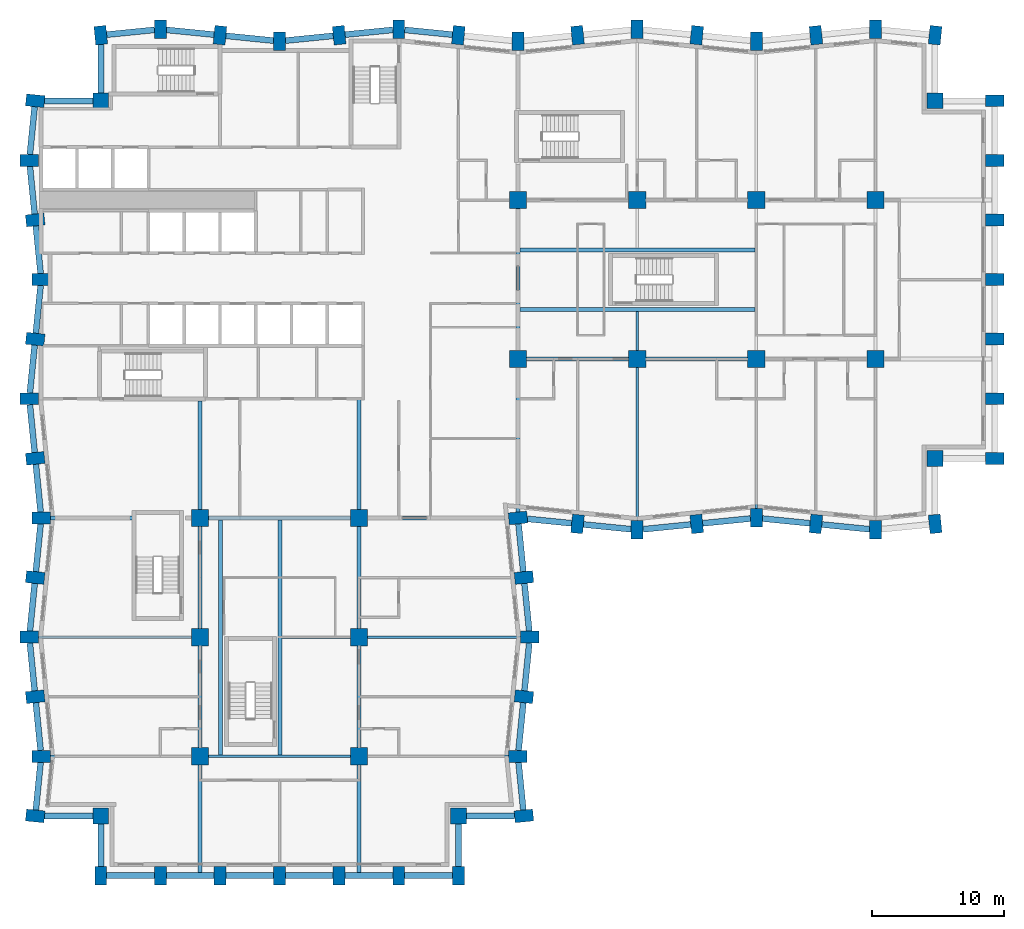
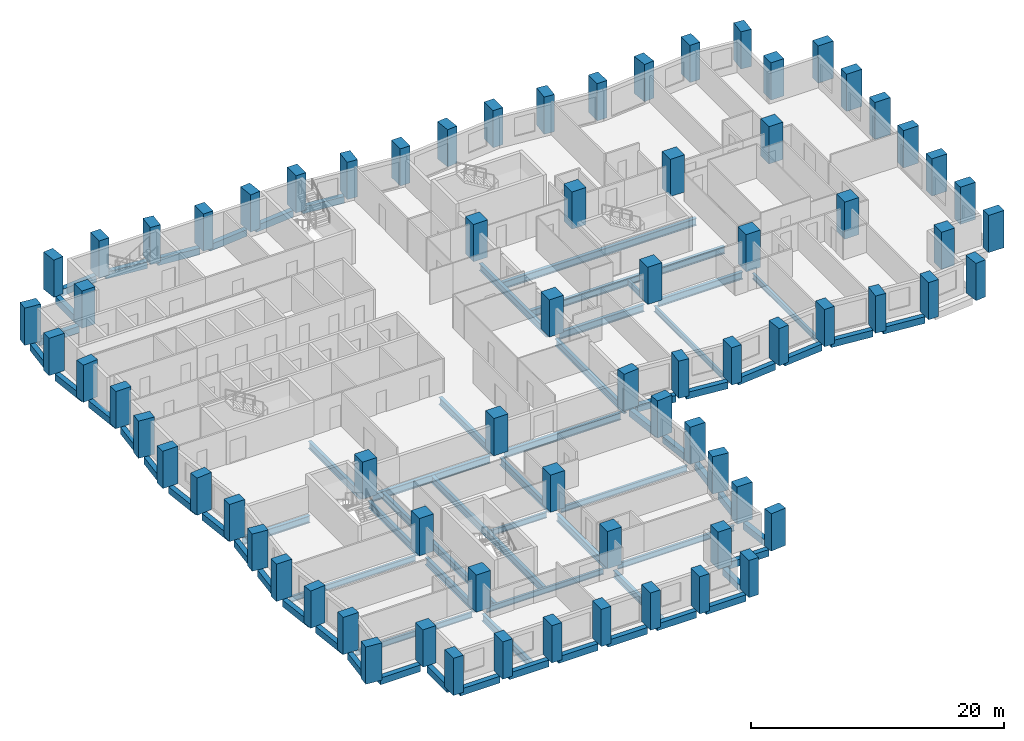
# One storey, part 1 of 12: 74 columns, 69 beams.
"""IFC4 building model written with IfcOpenShell, lengths in metres."""

from ifc_helpers import new_model, si_unit, direction, frame, origin, origin_2d, place, context, subcontext, project, spatial, rectangle, i_section, extrude, material, material_profile, profile_set, type_object, element, save


model = new_model("IFC4")

# Units and contexts
model_context = context("Model", 3, precision=1e-05, world=origin(), true_north=direction((0.0, 1.0)))
body_context = subcontext(model_context, "Body", "Model", "MODEL_VIEW")
ifc_project = project(units=[si_unit("LENGTHUNIT", "METRE"), si_unit("AREAUNIT", "SQUARE_METRE"), si_unit("VOLUMEUNIT", "CUBIC_METRE"), si_unit("PLANEANGLEUNIT", "RADIAN"), si_unit("MASSUNIT", "GRAM", prefix="KILO")], contexts=[model_context])

# Site, building, storey
site_placement = place(None, origin())
site = spatial("IfcSite", under=ifc_project, at=site_placement, CompositionType="ELEMENT")
building_placement = place(site_placement, origin())
building = spatial("IfcBuilding", under=site, at=building_placement, Name="Brondeck Convention Tower", CompositionType="ELEMENT")
storey_placement = place(building_placement, frame((0.0, 0.0, 62.699951171875)))
storey = spatial("IfcBuildingStorey", under=building, at=storey_placement, Name="L13", CompositionType="ELEMENT", Elevation=62.699951171875)

# Columns
ifc_material_1 = material(Name="Concrete C80/95", Category="concrete")
ifc_material_profile_1 = material_profile(ifc_material_1, rectangle(XDim=1.199951171875, YDim=1.199951171875, at=origin_2d()), Name="Corner column 1200x1200 Concrete C80/95")
ifc_profile_set_1 = profile_set([ifc_material_profile_1], Name="Concrete C80/95")
column_type_1 = type_object("IfcColumnType", Name="Corner column 1200x1200 Concrete C80/95", PredefinedType="COLUMN", material=ifc_profile_set_1)
for number, where, z_axis, x_axis, name in (
    (1, (4.5, 4.5, 0.0), (0.0, 0.0, 1.0), (1.0, 0.0, 0.0), "STR-COL-L13-NC-SWB0"),
    (2, (31.5, 4.5, 0.0), (0.0, 0.0, 1.0), (1.0, 0.0, 0.0), "STR-COL-L13-NC-SEB0"),
    (3, (67.5, 31.5, 0.0), (0.0, 0.0, 1.0), (1.0, 0.0, 0.0), "STR-COL-L13-NC-SEA72"),
    (4, (67.5, 58.5, 0.0), (0.0, 0.0, 1.0), (1.0, 0.0, 0.0), "STR-COL-L13-NC-NEA72"),
    (5, (4.5, 58.5, 0.0), (0.0, 0.0, 1.0), (1.0, 0.0, 0.0), "STR-COL-L13-NC-NW"),
):
    element("IfcColumn", number, at=place(storey_placement, frame(where, z_axis=z_axis, x_axis=x_axis)), inside=storey, type_object=column_type_1, Name=name, PredefinedType="COLUMN", context=body_context, shape_type="SweptSolid", body=[
        extrude(rectangle(XDim=1.199951171875, YDim=1.199951171875, at=origin_2d()), origin(), (0.0, 0.0, 1.0), 3.60009765625),
    ])
ifc_material_profile_2 = material_profile(ifc_material_1, rectangle(XDim=1.300048828125, YDim=1.300048828125, at=origin_2d()), Name="Interior column 1300x1300 Concrete C80/95")
ifc_profile_set_2 = profile_set([ifc_material_profile_2], Name="Concrete C80/95")
column_type_2 = type_object("IfcColumnType", Name="Interior column 1300x1300 Concrete C80/95", PredefinedType="COLUMN", material=ifc_profile_set_2)
for number, where, z_axis, x_axis, name in (
    (6, (12.0, 9.0, 0.0), (0.0, 0.0, 1.0), (1.0, 0.0, 0.0), "STR-COL-L13-IC-01"),
    (7, (12.0, 18.0, 0.0), (0.0, 0.0, 1.0), (1.0, 0.0, 0.0), "STR-COL-L13-IC-02"),
    (8, (12.0, 27.0, 0.0), (0.0, 0.0, 1.0), (1.0, 0.0, 0.0), "STR-COL-L13-IC-03"),
    (9, (24.0, 9.0, 0.0), (0.0, 0.0, 1.0), (1.0, 0.0, 0.0), "STR-COL-L13-IC-04"),
    (10, (24.0, 18.0, 0.0), (0.0, 0.0, 1.0), (1.0, 0.0, 0.0), "STR-COL-L13-IC-05"),
    (11, (24.0, 27.0, 0.0), (0.0, 0.0, 1.0), (1.0, 0.0, 0.0), "STR-COL-L13-IC-06"),
    (12, (36.0, 39.0, 0.0), (0.0, 0.0, 1.0), (1.0, 0.0, 0.0), "STR-COL-L13-IC-07"),
    (13, (36.0, 51.0, 0.0), (0.0, 0.0, 1.0), (1.0, 0.0, 0.0), "STR-COL-L13-IC-08"),
    (14, (45.0, 39.0, 0.0), (0.0, 0.0, 1.0), (1.0, 0.0, 0.0), "STR-COL-L13-IC-09"),
    (15, (45.0, 51.0, 0.0), (0.0, 0.0, 1.0), (1.0, 0.0, 0.0), "STR-COL-L13-IC-10"),
    (16, (54.0, 39.0, 0.0), (0.0, 0.0, 1.0), (1.0, 0.0, 0.0), "STR-COL-L13-IC-11"),
    (17, (54.0, 51.0, 0.0), (0.0, 0.0, 1.0), (1.0, 0.0, 0.0), "STR-COL-L13-IC-12"),
    (18, (63.0, 39.0, 0.0), (0.0, 0.0, 1.0), (1.0, 0.0, 0.0), "STR-COL-L13-IC-13"),
    (19, (63.0, 51.0, 0.0), (0.0, 0.0, 1.0), (1.0, 0.0, 0.0), "STR-COL-L13-IC-14"),
):
    element("IfcColumn", number, at=place(storey_placement, frame(where, z_axis=z_axis, x_axis=x_axis)), inside=storey, type_object=column_type_2, Name=name, PredefinedType="COLUMN", context=body_context, shape_type="SweptSolid", body=[
        extrude(rectangle(XDim=1.300048828125, YDim=1.300048828125, at=origin_2d()), origin(), (0.0, 0.0, 1.0), 3.60009765625),
    ])
ifc_material_profile_3 = material_profile(ifc_material_1, rectangle(XDim=0.89990234375, YDim=1.39990234375, at=origin_2d()), Name="Perimeter pier 900x1400 Concrete C80/95")
ifc_profile_set_3 = profile_set([ifc_material_profile_3], Name="Concrete C80/95")
column_type_3 = type_object("IfcColumnType", Name="Perimeter pier 900x1400 Concrete C80/95", PredefinedType="COLUMN", material=ifc_profile_set_3)
for number, where, z_axis, x_axis, name in (
    (20, (4.5, 0.0, 0.0), (0.0, 0.0, 1.0), (1.0, 0.0, 0.0), "STR-COL-L13-PC-B-S0-01"),
    (21, (9.0, 0.0, 0.0), (0.0, 0.0, 1.0), (1.0, 0.0, 0.0), "STR-COL-L13-PC-B-S0-02"),
    (22, (13.5, 0.0, 0.0), (0.0, 0.0, 1.0), (1.0, 0.0, 0.0), "STR-COL-L13-PC-B-S0-03"),
    (23, (18.0, 0.0, 0.0), (0.0, 0.0, 1.0), (1.0, 0.0, 0.0), "STR-COL-L13-PC-B-S0-04"),
    (24, (22.5, 0.0, 0.0), (0.0, 0.0, 1.0), (1.0, 0.0, 0.0), "STR-COL-L13-PC-B-S0-05"),
    (25, (27.0, 0.0, 0.0), (0.0, 0.0, 1.0), (1.0, 0.0, 0.0), "STR-COL-L13-PC-B-S0-06"),
    (26, (31.5, 0.0, 0.0), (0.0, 0.0, 1.0), (1.0, 0.0, 0.0), "STR-COL-L13-PC-B-S0-07"),
    (27, (36.449951171875, 4.5, 0.0), (0.0, 0.0, 1.0), (-0.0995038382, 0.995037178292, 0.0), "STR-COL-L13-PC-B-E-05"),
    (28, (36.0, 9.0, 0.0), (0.0, 0.0, 1.0), (0.0, 1.0, 0.0), "STR-COL-L13-PC-B-E-04"),
    (29, (36.449951171875, 13.5, 0.0), (0.0, 0.0, 1.0), (0.0995038382, 0.995037178292, 0.0), "STR-COL-L13-PC-B-E-03"),
    (30, (36.89990234375, 18.0, 0.0), (0.0, 0.0, 1.0), (0.0, 1.0, 0.0), "STR-COL-L13-PC-B-E-02"),
    (31, (36.449951171875, 22.5, 0.0), (0.0, 0.0, 1.0), (-0.0995038382, 0.995037178292, 0.0), "STR-COL-L13-PC-B-E-01"),
    (32, (36.0, 27.0, 0.0), (0.0, 0.0, 1.0), (-0.0995038382, 0.995037178292, 0.0), "STR-COL-L13-PC-B-E-00"),
    (33, (40.5, 26.550048828125, 0.0), (0.0, 0.0, 1.0), (0.995037178292, -0.0995038382, 0.0), "STR-COL-L13-PC-A-S-01"),
    (34, (45.0, 26.10009765625, 0.0), (0.0, 0.0, 1.0), (1.0, 0.0, 0.0), "STR-COL-L13-PC-A-S-02"),
    (35, (49.5, 26.550048828125, 0.0), (0.0, 0.0, 1.0), (0.995037178292, 0.0995038382, 0.0), "STR-COL-L13-PC-A-S-03"),
    (36, (54.0, 27.0, 0.0), (0.0, 0.0, 1.0), (1.0, 0.0, 0.0), "STR-COL-L13-PC-A-S-04"),
    (37, (58.5, 26.550048828125, 0.0), (0.0, 0.0, 1.0), (0.995037178292, -0.0995038382, 0.0), "STR-COL-L13-PC-A-S-05"),
    (38, (63.0, 26.10009765625, 0.0), (0.0, 0.0, 1.0), (1.0, 0.0, 0.0), "STR-COL-L13-PC-A-S-06"),
    (39, (67.5, 26.550048828125, 0.0), (0.0, 0.0, 1.0), (0.995037178292, 0.0995038382, 0.0), "STR-COL-L13-PC-A-S-07"),
    (40, (72.0, 31.5, 0.0), (0.0, 0.0, 1.0), (0.0, 1.0, 0.0), "STR-COL-L13-PC-A-E72-01"),
    (41, (72.0, 36.0, 0.0), (0.0, 0.0, 1.0), (0.0, 1.0, 0.0), "STR-COL-L13-PC-A-E72-02"),
    (42, (72.0, 40.5, 0.0), (0.0, 0.0, 1.0), (0.0, 1.0, 0.0), "STR-COL-L13-PC-A-E72-03"),
    (43, (72.0, 45.0, 0.0), (0.0, 0.0, 1.0), (0.0, 1.0, 0.0), "STR-COL-L13-PC-A-E72-04"),
    (44, (72.0, 49.5, 0.0), (0.0, 0.0, 1.0), (0.0, 1.0, 0.0), "STR-COL-L13-PC-A-E72-05"),
    (45, (72.0, 54.0, 0.0), (0.0, 0.0, 1.0), (0.0, 1.0, 0.0), "STR-COL-L13-PC-A-E72-06"),
    (46, (72.0, 58.5, 0.0), (0.0, 0.0, 1.0), (0.0, 1.0, 0.0), "STR-COL-L13-PC-A-E72-07"),
    (47, (67.5, 63.449951171875, 0.0), (0.0, 0.0, 1.0), (-0.995037178292, 0.0995038382, 0.0), "STR-COL-L13-PC-A-N-15"),
    (48, (63.0, 63.89990234375, 0.0), (0.0, 0.0, 1.0), (-1.0, 0.0, 0.0), "STR-COL-L13-PC-A-N-14"),
    (49, (58.5, 63.449951171875, 0.0), (0.0, 0.0, 1.0), (-0.995037178292, -0.0995038382, 0.0), "STR-COL-L13-PC-A-N-13"),
    (50, (54.0, 63.0, 0.0), (0.0, 0.0, 1.0), (-1.0, 0.0, 0.0), "STR-COL-L13-PC-A-N-12"),
    (51, (49.5, 63.449951171875, 0.0), (0.0, 0.0, 1.0), (-0.995037178292, 0.0995038382, 0.0), "STR-COL-L13-PC-A-N-11"),
    (52, (45.0, 63.89990234375, 0.0), (0.0, 0.0, 1.0), (-1.0, 0.0, 0.0), "STR-COL-L13-PC-A-N-10"),
    (53, (40.5, 63.449951171875, 0.0), (0.0, 0.0, 1.0), (-0.995037178292, -0.0995038382, 0.0), "STR-COL-L13-PC-A-N-09"),
    (54, (36.0, 63.0, 0.0), (0.0, 0.0, 1.0), (-1.0, 0.0, 0.0), "STR-COL-L13-PC-A-N-08"),
    (55, (31.5, 63.449951171875, 0.0), (0.0, 0.0, 1.0), (-0.995037178292, 0.0995038382, 0.0), "STR-COL-L13-PC-A-N-07"),
    (56, (27.0, 63.89990234375, 0.0), (0.0, 0.0, 1.0), (-1.0, 0.0, 0.0), "STR-COL-L13-PC-A-N-06"),
    (57, (22.5, 63.449951171875, 0.0), (0.0, 0.0, 1.0), (-0.995037178292, -0.0995038382, 0.0), "STR-COL-L13-PC-A-N-05"),
    (58, (18.0, 63.0, 0.0), (0.0, 0.0, 1.0), (-1.0, 0.0, 0.0), "STR-COL-L13-PC-A-N-04"),
    (59, (13.5, 63.449951171875, 0.0), (0.0, 0.0, 1.0), (-0.995037178292, 0.0995038382, 0.0), "STR-COL-L13-PC-A-N-03"),
    (60, (9.0, 63.89990234375, 0.0), (0.0, 0.0, 1.0), (-1.0, 0.0, 0.0), "STR-COL-L13-PC-A-N-02"),
    (61, (4.5, 63.449951171875, 0.0), (0.0, 0.0, 1.0), (-0.995037178292, -0.0995038382, 0.0), "STR-COL-L13-PC-A-N-01"),
    (62, (-0.449951171875, 58.5, 0.0), (0.0, 0.0, 1.0), (-0.0995038382, -0.995037178292, 0.0), "STR-COL-L13-PC-B-W-01"),
    (63, (-0.89990234375, 54.0, 0.0), (0.0, 0.0, 1.0), (0.0, -1.0, 0.0), "STR-COL-L13-PC-B-W-02"),
    (64, (-0.449951171875, 49.5, 0.0), (0.0, 0.0, 1.0), (0.0995038382, -0.995037178292, 0.0), "STR-COL-L13-PC-B-W-03"),
    (65, (0.0, 45.0, 0.0), (0.0, 0.0, 1.0), (0.0, -1.0, 0.0), "STR-COL-L13-PC-B-W-04"),
    (66, (-0.449951171875, 40.5, 0.0), (0.0, 0.0, 1.0), (-0.0995038382, -0.995037178292, 0.0), "STR-COL-L13-PC-B-W-05"),
    (67, (-0.89990234375, 36.0, 0.0), (0.0, 0.0, 1.0), (0.0, -1.0, 0.0), "STR-COL-L13-PC-B-W-06"),
    (68, (-0.449951171875, 31.5, 0.0), (0.0, 0.0, 1.0), (0.0995038382, -0.995037178292, 0.0), "STR-COL-L13-PC-B-W-07"),
    (69, (0.0, 27.0, 0.0), (0.0, 0.0, 1.0), (0.0, -1.0, 0.0), "STR-COL-L13-PC-B-W-08"),
    (70, (-0.449951171875, 22.5, 0.0), (0.0, 0.0, 1.0), (-0.0995038382, -0.995037178292, 0.0), "STR-COL-L13-PC-B-W-09"),
    (71, (-0.89990234375, 18.0, 0.0), (0.0, 0.0, 1.0), (0.0, -1.0, 0.0), "STR-COL-L13-PC-B-W-10"),
    (72, (-0.449951171875, 13.5, 0.0), (0.0, 0.0, 1.0), (0.0995038382, -0.995037178292, 0.0), "STR-COL-L13-PC-B-W-11"),
    (73, (0.0, 9.0, 0.0), (0.0, 0.0, 1.0), (0.0, -1.0, 0.0), "STR-COL-L13-PC-B-W-12"),
    (74, (-0.449951171875, 4.5, 0.0), (0.0, 0.0, 1.0), (-0.0995038382, -0.995037178292, 0.0), "STR-COL-L13-PC-B-W-13"),
):
    element("IfcColumn", number, at=place(storey_placement, frame(where, z_axis=z_axis, x_axis=x_axis)), inside=storey, type_object=column_type_3, Name=name, PredefinedType="COLUMN", context=body_context, shape_type="SweptSolid", body=[
        extrude(rectangle(XDim=0.89990234375, YDim=1.39990234375, at=origin_2d()), origin(), (0.0, 0.0, 1.0), 3.60009765625),
    ])

# Beams
ifc_material_2 = material(Name="Steel S355", Category="steel")
ifc_material_profile_4 = material_profile(ifc_material_2, i_section(OverallWidth=0.2099609375, OverallDepth=0.550048828125, WebThickness=0.010986328125, FlangeThickness=0.01708984375, FilletRadius=0.02392578125, at=origin_2d()), Name="IPE 550")
ifc_profile_set_4 = profile_set([ifc_material_profile_4], Name="Steel S355")
beam_type_1 = type_object("IfcBeamType", Name="Floor beam IPE 550", PredefinedType="BEAM", material=ifc_profile_set_4)
beam_1_placement = place(storey_placement, frame((45.0, 26.800048828125, -0.574951171875), z_axis=(0.0, 1.0, 0.0), x_axis=(-1.0, 0.0, 0.0)))
element("IfcBeam", 75, at=beam_1_placement, inside=storey, type_object=beam_type_1, Name="STR-FB-L13-001", PredefinedType="BEAM", context=body_context, shape_type="SweptSolid", body=[
    extrude(i_section(OverallWidth=0.2099609375, OverallDepth=0.550048828125, WebThickness=0.010986328125, FlangeThickness=0.01708984375, FilletRadius=0.02392578125, at=origin_2d()), origin(), (0.0, 0.0, 1.0), 11.550048828125),
])
for number, where, z_axis, x_axis, name in (
    (76, (54.0, 27.699951171875, -0.574951171875), (0.0, 1.0, 0.0), (-1.0, 0.0, 0.0), "STR-FB-L13-003"),
    (77, (0.699951171875, 9.0, -0.574951171875), (1.0, 0.0, 0.0), (0.0, 1.0, 0.0), "STR-FB-L13-009"),
):
    element("IfcBeam", number, at=place(storey_placement, frame(where, z_axis=z_axis, x_axis=x_axis)), inside=storey, type_object=beam_type_1, Name=name, PredefinedType="BEAM", context=body_context, shape_type="SweptSolid", body=[
        extrude(i_section(OverallWidth=0.2099609375, OverallDepth=0.550048828125, WebThickness=0.010986328125, FlangeThickness=0.01708984375, FilletRadius=0.02392578125, at=origin_2d()), origin(), (0.0, 0.0, 1.0), 10.650146484375),
    ])
beam_2_placement = place(storey_placement, frame((12.64990234375, 9.0, -0.574951171875), z_axis=(1.0, 0.0, 0.0), x_axis=(0.0, 1.0, 0.0)))
element("IfcBeam", 78, at=beam_2_placement, inside=storey, type_object=beam_type_1, Name="STR-FB-L13-010", PredefinedType="BEAM", context=body_context, shape_type="SweptSolid", body=[
    extrude(i_section(OverallWidth=0.2099609375, OverallDepth=0.550048828125, WebThickness=0.010986328125, FlangeThickness=0.01708984375, FilletRadius=0.02392578125, at=origin_2d()), origin(), (0.0, 0.0, 1.0), 10.7001953125),
])
beam_3_placement = place(storey_placement, frame((24.64990234375, 9.0, -0.574951171875), z_axis=(1.0, 0.0, 0.0), x_axis=(0.0, 1.0, 0.0)))
element("IfcBeam", 79, at=beam_3_placement, inside=storey, type_object=beam_type_1, Name="STR-FB-L13-011", PredefinedType="BEAM", context=body_context, shape_type="SweptSolid", body=[
    extrude(i_section(OverallWidth=0.2099609375, OverallDepth=0.550048828125, WebThickness=0.010986328125, FlangeThickness=0.01708984375, FilletRadius=0.02392578125, at=origin_2d()), origin(), (0.0, 0.0, 1.0), 10.650146484375),
])
for number, where, z_axis, x_axis, name in (
    (80, (-0.199951171875, 18.0, -0.574951171875), (1.0, 0.0, 0.0), (0.0, 1.0, 0.0), "STR-FB-L13-012"),
    (81, (24.64990234375, 18.0, -0.574951171875), (1.0, 0.0, 0.0), (0.0, 1.0, 0.0), "STR-FB-L13-013"),
):
    element("IfcBeam", number, at=place(storey_placement, frame(where, z_axis=z_axis, x_axis=x_axis)), inside=storey, type_object=beam_type_1, Name=name, PredefinedType="BEAM", context=body_context, shape_type="SweptSolid", body=[
        extrude(i_section(OverallWidth=0.2099609375, OverallDepth=0.550048828125, WebThickness=0.010986328125, FlangeThickness=0.01708984375, FilletRadius=0.02392578125, at=origin_2d()), origin(), (0.0, 0.0, 1.0), 11.550048828125),
    ])
beam_4_placement = place(storey_placement, frame((45.0, 39.64990234375, -0.574951171875), z_axis=(0.0, 1.0, 0.0), x_axis=(-1.0, 0.0, 0.0)))
element("IfcBeam", 82, at=beam_4_placement, inside=storey, type_object=beam_type_1, Name="STR-FB-L13-014", PredefinedType="BEAM", context=body_context, shape_type="SweptSolid", body=[
    extrude(i_section(OverallWidth=0.2099609375, OverallDepth=0.550048828125, WebThickness=0.010986328125, FlangeThickness=0.01708984375, FilletRadius=0.02392578125, at=origin_2d()), origin(), (0.0, 0.0, 1.0), 2.9501953125),
])
beam_5_placement = place(storey_placement, frame((18.199951171875, 18.0, -0.574951171875), z_axis=(1.0, 0.0, 0.0), x_axis=(0.0, 1.0, 0.0)))
element("IfcBeam", 83, at=beam_5_placement, inside=storey, type_object=beam_type_1, Name="STR-FB-L13-016", PredefinedType="BEAM", context=body_context, shape_type="SweptSolid", body=[
    extrude(i_section(OverallWidth=0.2099609375, OverallDepth=0.550048828125, WebThickness=0.010986328125, FlangeThickness=0.01708984375, FilletRadius=0.02392578125, at=origin_2d()), origin(), (0.0, 0.0, 1.0), 5.150146484375),
])
ifc_material_profile_5 = material_profile(ifc_material_2, i_section(OverallWidth=0.300048828125, OverallDepth=0.699951171875, WebThickness=0.01708984375, FlangeThickness=0.031982421875, FilletRadius=0.027099609375, at=origin_2d()), Name="HEB 700")
ifc_profile_set_5 = profile_set([ifc_material_profile_5], Name="Steel S355")
beam_type_2 = type_object("IfcBeamType", Name="Girder HEB 700", PredefinedType="BEAM", material=ifc_profile_set_5)
for number, where, z_axis, x_axis, name in (
    (84, (36.64990234375, 39.0, -0.64990234375), (1.0, 0.0, 0.0), (0.0, 1.0, 0.0), "STR-GR-L13-001"),
    (85, (45.64990234375, 39.0, -0.64990234375), (1.0, 0.0, 0.0), (0.0, 1.0, 0.0), "STR-GR-L13-002"),
):
    element("IfcBeam", number, at=place(storey_placement, frame(where, z_axis=z_axis, x_axis=x_axis)), inside=storey, type_object=beam_type_2, Name=name, PredefinedType="BEAM", context=body_context, shape_type="SweptSolid", body=[
        extrude(i_section(OverallWidth=0.300048828125, OverallDepth=0.699951171875, WebThickness=0.01708984375, FlangeThickness=0.031982421875, FilletRadius=0.027099609375, at=origin_2d()), origin(), (0.0, 0.0, 1.0), 7.7001953125),
    ])
beam_6_placement = place(storey_placement, frame((36.0, 27.4521484375, -0.64990234375), z_axis=(0.0, 1.0, 0.0), x_axis=(-1.0, 0.0, 0.0)))
element("IfcBeam", 86, at=beam_6_placement, inside=storey, type_object=beam_type_2, Name="STR-GR-L13-009", PredefinedType="BEAM", context=body_context, shape_type="SweptSolid", body=[
    extrude(i_section(OverallWidth=0.300048828125, OverallDepth=0.699951171875, WebThickness=0.01708984375, FlangeThickness=0.031982421875, FilletRadius=0.027099609375, at=origin_2d()), origin(), (0.0, 0.0, 1.0), 10.89794921875),
])
beam_7_placement = place(storey_placement, frame((36.0, 39.64990234375, -0.64990234375), z_axis=(0.0, 1.0, 0.0), x_axis=(-1.0, 0.0, 0.0)))
element("IfcBeam", 87, at=beam_7_placement, inside=storey, type_object=beam_type_2, Name="STR-GR-L13-010", PredefinedType="BEAM", context=body_context, shape_type="SweptSolid", body=[
    extrude(i_section(OverallWidth=0.300048828125, OverallDepth=0.699951171875, WebThickness=0.01708984375, FlangeThickness=0.031982421875, FilletRadius=0.027099609375, at=origin_2d()), origin(), (0.0, 0.0, 1.0), 10.7001953125),
])
beam_8_placement = place(storey_placement, frame((12.0, 35.85009765625, -0.64990234375), z_axis=(0.0, -1.0, 0.0), x_axis=(1.0, 0.0, 0.0)))
element("IfcBeam", 88, at=beam_8_placement, inside=storey, type_object=beam_type_2, Name="STR-GR-L13-013", PredefinedType="BEAM", context=body_context, shape_type="SweptSolid", body=[
    extrude(i_section(OverallWidth=0.300048828125, OverallDepth=0.699951171875, WebThickness=0.01708984375, FlangeThickness=0.031982421875, FilletRadius=0.027099609375, at=origin_2d()), origin(), (0.0, 0.0, 1.0), 8.2001953125),
])
for number, where, z_axis, x_axis, name in (
    (89, (12.0, 26.35009765625, -0.64990234375), (0.0, -1.0, 0.0), (1.0, 0.0, 0.0), "STR-GR-L13-014"),
    (90, (12.0, 17.35009765625, -0.64990234375), (0.0, -1.0, 0.0), (1.0, 0.0, 0.0), "STR-GR-L13-015"),
):
    element("IfcBeam", number, at=place(storey_placement, frame(where, z_axis=z_axis, x_axis=x_axis)), inside=storey, type_object=beam_type_2, Name=name, PredefinedType="BEAM", context=body_context, shape_type="SweptSolid", body=[
        extrude(i_section(OverallWidth=0.300048828125, OverallDepth=0.699951171875, WebThickness=0.01708984375, FlangeThickness=0.031982421875, FilletRadius=0.027099609375, at=origin_2d()), origin(), (0.0, 0.0, 1.0), 7.7001953125),
    ])
beam_9_placement = place(storey_placement, frame((12.0, 8.35009765625, -0.64990234375), z_axis=(0.0, -1.0, 0.0), x_axis=(1.0, 0.0, 0.0)))
element("IfcBeam", 91, at=beam_9_placement, inside=storey, type_object=beam_type_2, Name="STR-GR-L13-016", PredefinedType="BEAM", context=body_context, shape_type="SweptSolid", body=[
    extrude(i_section(OverallWidth=0.300048828125, OverallDepth=0.699951171875, WebThickness=0.01708984375, FlangeThickness=0.031982421875, FilletRadius=0.027099609375, at=origin_2d()), origin(), (0.0, 0.0, 1.0), 8.125),
])
beam_10_placement = place(storey_placement, frame((24.0, 35.955078125, -0.64990234375), z_axis=(0.0, -1.0, 0.0), x_axis=(1.0, 0.0, 0.0)))
element("IfcBeam", 92, at=beam_10_placement, inside=storey, type_object=beam_type_2, Name="STR-GR-L13-017", PredefinedType="BEAM", context=body_context, shape_type="SweptSolid", body=[
    extrude(i_section(OverallWidth=0.300048828125, OverallDepth=0.699951171875, WebThickness=0.01708984375, FlangeThickness=0.031982421875, FilletRadius=0.027099609375, at=origin_2d()), origin(), (0.0, 0.0, 1.0), 8.30517578125),
])
for number, where, z_axis, x_axis, name in (
    (93, (24.0, 26.35009765625, -0.64990234375), (0.0, -1.0, 0.0), (1.0, 0.0, 0.0), "STR-GR-L13-018"),
    (94, (24.0, 17.35009765625, -0.64990234375), (0.0, -1.0, 0.0), (1.0, 0.0, 0.0), "STR-GR-L13-019"),
):
    element("IfcBeam", number, at=place(storey_placement, frame(where, z_axis=z_axis, x_axis=x_axis)), inside=storey, type_object=beam_type_2, Name=name, PredefinedType="BEAM", context=body_context, shape_type="SweptSolid", body=[
        extrude(i_section(OverallWidth=0.300048828125, OverallDepth=0.699951171875, WebThickness=0.01708984375, FlangeThickness=0.031982421875, FilletRadius=0.027099609375, at=origin_2d()), origin(), (0.0, 0.0, 1.0), 7.7001953125),
    ])
beam_11_placement = place(storey_placement, frame((24.0, 8.35009765625, -0.64990234375), z_axis=(0.0, -1.0, 0.0), x_axis=(1.0, 0.0, 0.0)))
element("IfcBeam", 95, at=beam_11_placement, inside=storey, type_object=beam_type_2, Name="STR-GR-L13-020", PredefinedType="BEAM", context=body_context, shape_type="SweptSolid", body=[
    extrude(i_section(OverallWidth=0.300048828125, OverallDepth=0.699951171875, WebThickness=0.01708984375, FlangeThickness=0.031982421875, FilletRadius=0.027099609375, at=origin_2d()), origin(), (0.0, 0.0, 1.0), 8.125),
])
beam_12_placement = place(storey_placement, frame((0.699951171875, 27.0, -0.64990234375), z_axis=(1.0, 0.0, 0.0), x_axis=(0.0, 1.0, 0.0)))
element("IfcBeam", 96, at=beam_12_placement, inside=storey, type_object=beam_type_2, Name="STR-GR-L13-021", PredefinedType="BEAM", context=body_context, shape_type="SweptSolid", body=[
    extrude(i_section(OverallWidth=0.300048828125, OverallDepth=0.699951171875, WebThickness=0.01708984375, FlangeThickness=0.031982421875, FilletRadius=0.027099609375, at=origin_2d()), origin(), (0.0, 0.0, 1.0), 6.179931640625),
])
beam_13_placement = place(storey_placement, frame((12.64990234375, 27.0, -0.64990234375), z_axis=(1.0, 0.0, 0.0), x_axis=(0.0, 1.0, 0.0)))
element("IfcBeam", 97, at=beam_13_placement, inside=storey, type_object=beam_type_2, Name="STR-GR-L13-022", PredefinedType="BEAM", context=body_context, shape_type="SweptSolid", body=[
    extrude(i_section(OverallWidth=0.300048828125, OverallDepth=0.699951171875, WebThickness=0.01708984375, FlangeThickness=0.031982421875, FilletRadius=0.027099609375, at=origin_2d()), origin(), (0.0, 0.0, 1.0), 10.7001953125),
])
beam_14_placement = place(storey_placement, frame((24.64990234375, 27.0, -0.64990234375), z_axis=(1.0, 0.0, 0.0), x_axis=(0.0, 1.0, 0.0)))
element("IfcBeam", 98, at=beam_14_placement, inside=storey, type_object=beam_type_2, Name="STR-GR-L13-023", PredefinedType="BEAM", context=body_context, shape_type="SweptSolid", body=[
    extrude(i_section(OverallWidth=0.300048828125, OverallDepth=0.699951171875, WebThickness=0.01708984375, FlangeThickness=0.031982421875, FilletRadius=0.027099609375, at=origin_2d()), origin(), (0.0, 0.0, 1.0), 10.646484375),
])
for number, where, z_axis, x_axis, name in (
    (99, (36.14990234375, 42.75, -0.64990234375), (1.0, 0.0, 0.0), (0.0, 1.0, 0.0), "STR-GR-L13-024"),
    (100, (36.14990234375, 47.25, -0.64990234375), (1.0, 0.0, 0.0), (0.0, 1.0, 0.0), "STR-GR-L13-025"),
    (101, (13.550048828125, 9.10498046875, -0.64990234375), (0.0, 1.0, 0.0), (-1.0, 0.0, 0.0), "STR-GR-L13-026"),
    (102, (18.050048828125, 9.10498046875, -0.64990234375), (0.0, 1.0, 0.0), (-1.0, 0.0, 0.0), "STR-GR-L13-027"),
):
    element("IfcBeam", number, at=place(storey_placement, frame(where, z_axis=z_axis, x_axis=x_axis)), inside=storey, type_object=beam_type_2, Name=name, PredefinedType="BEAM", context=body_context, shape_type="SweptSolid", body=[
        extrude(i_section(OverallWidth=0.300048828125, OverallDepth=0.699951171875, WebThickness=0.01708984375, FlangeThickness=0.031982421875, FilletRadius=0.027099609375, at=origin_2d()), origin(), (0.0, 0.0, 1.0), 17.7451171875),
    ])
ifc_material_profile_6 = material_profile(ifc_material_1, rectangle(XDim=0.449951171875, YDim=0.64990234375, at=origin_2d()), Name="Precast spandrel 450x650 Concrete C80/95")
ifc_profile_set_6 = profile_set([ifc_material_profile_6], Name="Concrete C80/95")
beam_type_3 = type_object("IfcBeamType", Name="Precast spandrel 450x650 Concrete C80/95", PredefinedType="SPANDREL", material=ifc_profile_set_6)
for number, where, z_axis, x_axis, name in (
    (103, (4.949951171875, 0.0, -0.324951171875), (1.0, 0.0, 0.0), (0.0, 1.0, 0.0), "STR-SP-L13-001"),
    (104, (9.449951171875, 0.0, -0.324951171875), (1.0, 0.0, 0.0), (0.0, 1.0, 0.0), "STR-SP-L13-002"),
    (105, (13.949951171875, 0.0, -0.324951171875), (1.0, 0.0, 0.0), (0.0, 1.0, 0.0), "STR-SP-L13-003"),
    (106, (18.449951171875, 0.0, -0.324951171875), (1.0, 0.0, 0.0), (0.0, 1.0, 0.0), "STR-SP-L13-004"),
    (107, (22.949951171875, 0.0, -0.324951171875), (1.0, 0.0, 0.0), (0.0, 1.0, 0.0), "STR-SP-L13-005"),
    (108, (27.449951171875, 0.0, -0.324951171875), (1.0, 0.0, 0.0), (0.0, 1.0, 0.0), "STR-SP-L13-006"),
):
    element("IfcBeam", number, at=place(storey_placement, frame(where, z_axis=z_axis, x_axis=x_axis)), inside=storey, type_object=beam_type_3, Name=name, PredefinedType="SPANDREL", context=body_context, shape_type="SweptSolid", body=[
        extrude(rectangle(XDim=0.449951171875, YDim=0.64990234375, at=origin_2d()), origin(), (0.0, 0.0, 1.0), 3.60009765625),
    ])
beam_15_placement = place(storey_placement, frame((31.5, 0.699951171875, -0.324951171875), z_axis=(0.0, 1.0, 0.0), x_axis=(-1.0, 0.0, 0.0)))
element("IfcBeam", 109, at=beam_15_placement, inside=storey, type_object=beam_type_3, Name="STR-SP-L13-007", PredefinedType="SPANDREL", context=body_context, shape_type="SweptSolid", body=[
    extrude(rectangle(XDim=0.449951171875, YDim=0.64990234375, at=origin_2d()), origin(), (0.0, 0.0, 1.0), 3.199951171875),
])
beam_16_placement = place(storey_placement, frame((32.10009765625, 4.5, -0.324951171875), z_axis=(1.0, 0.0, 0.0), x_axis=(0.0, 1.0, 0.0)))
element("IfcBeam", 110, at=beam_16_placement, inside=storey, type_object=beam_type_3, Name="STR-SP-L13-008", PredefinedType="SPANDREL", context=body_context, shape_type="SweptSolid", body=[
    extrude(rectangle(XDim=0.449951171875, YDim=0.64990234375, at=origin_2d()), origin(), (0.0, 0.0, 1.0), 3.646484375),
])
for number, where, z_axis, x_axis, name in (
    (111, (36.4052734375, 4.94775390625, -0.324951171875), (-0.099537103649, 0.995033851182, 0.0), (-0.995033851182, -0.099537103649, 0.0), "STR-SP-L13-009"),
    (112, (36.044921875, 9.449951171875, -0.324951171875), (0.099537103649, 0.995033851182, 0.0), (-0.995033851182, 0.099537103649, 0.0), "STR-SP-L13-010"),
    (113, (36.494873046875, 13.94775390625, -0.324951171875), (0.099470334057, 0.995040528141, 0.0), (-0.995040528141, 0.099470334057, 0.0), "STR-SP-L13-011"),
    (114, (36.85498046875, 18.449951171875, -0.324951171875), (-0.099470334057, 0.995040528141, 0.0), (-0.995040528141, -0.099470334057, 0.0), "STR-SP-L13-012"),
):
    element("IfcBeam", number, at=place(storey_placement, frame(where, z_axis=z_axis, x_axis=x_axis)), inside=storey, type_object=beam_type_3, Name=name, PredefinedType="SPANDREL", context=body_context, shape_type="SweptSolid", body=[
        extrude(rectangle(XDim=0.449951171875, YDim=0.64990234375, at=origin_2d()), origin(), (0.0, 0.0, 1.0), 3.620361328125),
    ])
beam_17_placement = place(storey_placement, frame((36.4052734375, 22.94775390625, -0.324951171875), z_axis=(-0.099543756114, 0.995033185687, 0.0), x_axis=(-0.995033185687, -0.099543756114, 0.0)))
element("IfcBeam", 115, at=beam_17_placement, inside=storey, type_object=beam_type_3, Name="STR-SP-L13-013", PredefinedType="SPANDREL", context=body_context, shape_type="SweptSolid", body=[
    extrude(rectangle(XDim=0.449951171875, YDim=0.64990234375, at=origin_2d()), origin(), (0.0, 0.0, 1.0), 3.62255859375),
])
beam_18_placement = place(storey_placement, frame((36.710693359375, 26.928955078125, -0.324951171875), z_axis=(0.995035030591, -0.099525312843, 0.0), x_axis=(0.099525312843, 0.995035030591, 0.0)))
element("IfcBeam", 116, at=beam_18_placement, inside=storey, type_object=beam_type_3, Name="STR-SP-L13-014", PredefinedType="SPANDREL", context=body_context, shape_type="SweptSolid", body=[
    extrude(rectangle(XDim=0.449951171875, YDim=0.64990234375, at=origin_2d()), origin(), (0.0, 0.0, 1.0), 3.358154296875),
])
for number, where, z_axis, x_axis, name in (
    (117, (40.94775390625, 26.505126953125, -0.324951171875), (0.995040528141, -0.099470334057, 0.0), (0.099470334057, 0.995040528141, 0.0), "STR-SP-L13-015"),
    (118, (45.449951171875, 26.14501953125, -0.324951171875), (0.995040528141, 0.099470334057, 0.0), (-0.099470334057, 0.995040528141, 0.0), "STR-SP-L13-016"),
    (119, (49.94775390625, 26.5947265625, -0.324951171875), (0.995033851182, 0.099537103649, 0.0), (-0.099537103649, 0.995033851182, 0.0), "STR-SP-L13-017"),
    (120, (54.449951171875, 26.955078125, -0.324951171875), (0.995033851182, -0.099537103649, 0.0), (0.099537103649, 0.995033851182, 0.0), "STR-SP-L13-018"),
    (121, (58.94775390625, 26.505126953125, -0.324951171875), (0.995040528141, -0.099470334057, 0.0), (0.099470334057, 0.995040528141, 0.0), "STR-SP-L13-019"),
    (122, (31.05224609375, 63.494873046875, -0.324951171875), (-0.995040528141, 0.099470334057, 0.0), (-0.099470334057, -0.995040528141, 0.0), "STR-SP-L13-039"),
    (123, (26.550048828125, 63.85498046875, -0.324951171875), (-0.995040528141, -0.099470334057, 0.0), (0.099470334057, -0.995040528141, 0.0), "STR-SP-L13-040"),
    (124, (22.05224609375, 63.4052734375, -0.324951171875), (-0.995033851182, -0.099537103649, 0.0), (0.099537103649, -0.995033851182, 0.0), "STR-SP-L13-041"),
    (125, (17.550048828125, 63.044921875, -0.324951171875), (-0.995033851182, 0.099537103649, 0.0), (-0.099537103649, -0.995033851182, 0.0), "STR-SP-L13-042"),
    (126, (13.05224609375, 63.494873046875, -0.324951171875), (-0.995040528141, 0.099470334057, 0.0), (-0.099470334057, -0.995040528141, 0.0), "STR-SP-L13-043"),
    (127, (8.550048828125, 63.85498046875, -0.324951171875), (-0.995040528141, -0.099470334057, 0.0), (0.099470334057, -0.995040528141, 0.0), "STR-SP-L13-044"),
):
    element("IfcBeam", number, at=place(storey_placement, frame(where, z_axis=z_axis, x_axis=x_axis)), inside=storey, type_object=beam_type_3, Name=name, PredefinedType="SPANDREL", context=body_context, shape_type="SweptSolid", body=[
        extrude(rectangle(XDim=0.449951171875, YDim=0.64990234375, at=origin_2d()), origin(), (0.0, 0.0, 1.0), 3.620361328125),
    ])
for number, where, z_axis, x_axis, name in (
    (128, (4.5, 62.74658203125, -0.324951171875), (0.0, -1.0, 0.0), (1.0, 0.0, 0.0), "STR-SP-L13-045"),
    (129, (3.89990234375, 58.5, -0.324951171875), (-1.0, 0.0, 0.0), (0.0, -1.0, 0.0), "STR-SP-L13-046"),
):
    element("IfcBeam", number, at=place(storey_placement, frame(where, z_axis=z_axis, x_axis=x_axis)), inside=storey, type_object=beam_type_3, Name=name, PredefinedType="SPANDREL", context=body_context, shape_type="SweptSolid", body=[
        extrude(rectangle(XDim=0.449951171875, YDim=0.64990234375, at=origin_2d()), origin(), (0.0, 0.0, 1.0), 3.646484375),
    ])
for number, where, z_axis, x_axis, name in (
    (130, (-0.494873046875, 58.05224609375, -0.324951171875), (-0.099470334057, -0.995040528141, 0.0), (0.995040528141, -0.099470334057, 0.0), "STR-SP-L13-047"),
    (131, (-0.85498046875, 53.550048828125, -0.324951171875), (0.099470334057, -0.995040528141, 0.0), (0.995040528141, 0.099470334057, 0.0), "STR-SP-L13-048"),
    (132, (-0.4052734375, 49.05224609375, -0.324951171875), (0.099537103649, -0.995033851182, 0.0), (0.995033851182, 0.099537103649, 0.0), "STR-SP-L13-049"),
    (133, (-0.044921875, 44.550048828125, -0.324951171875), (-0.099537103649, -0.995033851182, 0.0), (0.995033851182, -0.099537103649, 0.0), "STR-SP-L13-050"),
    (134, (-0.494873046875, 40.05224609375, -0.324951171875), (-0.099470334057, -0.995040528141, 0.0), (0.995040528141, -0.099470334057, 0.0), "STR-SP-L13-051"),
    (135, (-0.85498046875, 35.550048828125, -0.324951171875), (0.099470334057, -0.995040528141, 0.0), (0.995040528141, 0.099470334057, 0.0), "STR-SP-L13-052"),
    (136, (-0.4052734375, 31.05224609375, -0.324951171875), (0.099537103649, -0.995033851182, 0.0), (0.995033851182, 0.099537103649, 0.0), "STR-SP-L13-053"),
    (137, (-0.044921875, 26.550048828125, -0.324951171875), (-0.099537103649, -0.995033851182, 0.0), (0.995033851182, -0.099537103649, 0.0), "STR-SP-L13-054"),
    (138, (-0.494873046875, 22.05224609375, -0.324951171875), (-0.099470334057, -0.995040528141, 0.0), (0.995040528141, -0.099470334057, 0.0), "STR-SP-L13-055"),
    (139, (-0.85498046875, 17.550048828125, -0.324951171875), (0.099470334057, -0.995040528141, 0.0), (0.995040528141, 0.099470334057, 0.0), "STR-SP-L13-056"),
    (140, (-0.4052734375, 13.05224609375, -0.324951171875), (0.099537103649, -0.995033851182, 0.0), (0.995033851182, 0.099537103649, 0.0), "STR-SP-L13-057"),
    (141, (-0.044921875, 8.550048828125, -0.324951171875), (-0.099537103649, -0.995033851182, 0.0), (0.995033851182, -0.099537103649, 0.0), "STR-SP-L13-058"),
):
    element("IfcBeam", number, at=place(storey_placement, frame(where, z_axis=z_axis, x_axis=x_axis)), inside=storey, type_object=beam_type_3, Name=name, PredefinedType="SPANDREL", context=body_context, shape_type="SweptSolid", body=[
        extrude(rectangle(XDim=0.449951171875, YDim=0.64990234375, at=origin_2d()), origin(), (0.0, 0.0, 1.0), 3.620361328125),
    ])
beam_19_placement = place(storey_placement, frame((0.25341796875, 4.5, -0.324951171875), z_axis=(1.0, 0.0, 0.0), x_axis=(0.0, 1.0, 0.0)))
element("IfcBeam", 142, at=beam_19_placement, inside=storey, type_object=beam_type_3, Name="STR-SP-L13-059", PredefinedType="SPANDREL", context=body_context, shape_type="SweptSolid", body=[
    extrude(rectangle(XDim=0.449951171875, YDim=0.64990234375, at=origin_2d()), origin(), (0.0, 0.0, 1.0), 3.646484375),
])
beam_20_placement = place(storey_placement, frame((4.5, 3.89990234375, -0.324951171875), z_axis=(0.0, -1.0, 0.0), x_axis=(1.0, 0.0, 0.0)))
element("IfcBeam", 143, at=beam_20_placement, inside=storey, type_object=beam_type_3, Name="STR-SP-L13-060", PredefinedType="SPANDREL", context=body_context, shape_type="SweptSolid", body=[
    extrude(rectangle(XDim=0.449951171875, YDim=0.64990234375, at=origin_2d()), origin(), (0.0, 0.0, 1.0), 3.199951171875),
])

save(model, "model.ifc")
